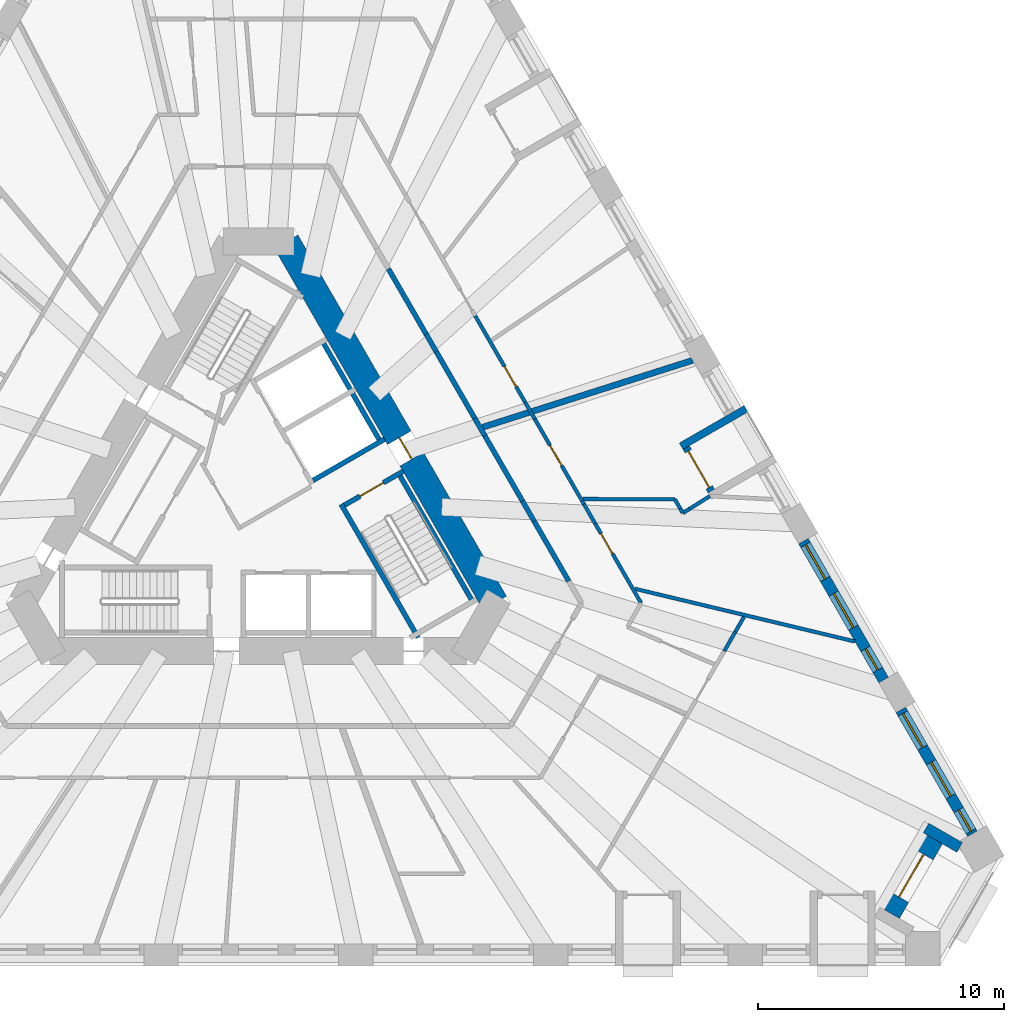
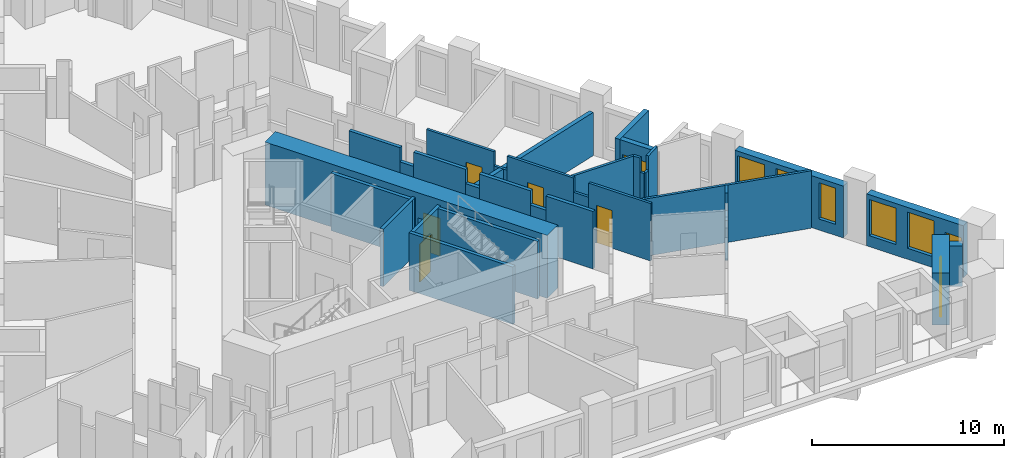
# One storey, part 7 of 14: 33 walls, 7 doors, 6 windows, 13 openings.
"""IFC4 building model written with IfcOpenShell, lengths in metres."""

from ifc_helpers import new_model, si_unit, direction, frame, frame_2d, origin, place, context, subcontext, project, spatial, rectangle, extrude, material, layer, layer_set, type_object, element, fill, save


model = new_model("IFC4")

# Units and contexts
model_context = context("Model", 3, precision=1e-05, world=origin(), true_north=direction((0.0, 1.0)))
body_context = subcontext(model_context, "Body", "Model", "MODEL_VIEW")
ifc_project = project(units=[si_unit("LENGTHUNIT", "METRE"), si_unit("AREAUNIT", "SQUARE_METRE"), si_unit("VOLUMEUNIT", "CUBIC_METRE"), si_unit("PLANEANGLEUNIT", "RADIAN"), si_unit("MASSUNIT", "GRAM", prefix="KILO")], contexts=[model_context])

# Site, building, storey
site_placement = place(None, origin())
site = spatial("IfcSite", under=ifc_project, at=site_placement, CompositionType="ELEMENT")
building_placement = place(site_placement, origin())
building = spatial("IfcBuilding", under=site, at=building_placement, Name="Tramontana Tower", CompositionType="ELEMENT")
storey_placement = place(building_placement, frame((0.0, 0.0, 38.0)))
storey = spatial("IfcBuildingStorey", under=building, at=storey_placement, Name="L07", CompositionType="ELEMENT", Elevation=38.0)

# Wall, opening, door
ifc_material_1 = material(Name="Concrete 70 MPa", Category="concrete")
ifc_layer_1 = layer(ifc_material_1, 1.10009765625)
ifc_layer_set_1 = layer_set([ifc_layer_1], Name="Core wall 1100 70 MPa")
wall_type_1 = type_object("IfcWallType", Name="Core wall 1100 70 MPa", PredefinedType="SHEAR", material=ifc_layer_set_1)
wall_1_placement = place(storey_placement, frame((9.61279296875, -4.25, 0.0), z_axis=(0.0, 0.0, 1.0), x_axis=(-0.500001757713, 0.866024388966, 0.0)))
wall_1 = element("IfcWall", 1, at=wall_1_placement, inside=storey, type_object=wall_type_1, Name="Core wall C5 L07", PredefinedType="SHEAR", context=body_context, shape_type="SweptSolid", body=[
    extrude(rectangle(XDim=16.97412109375, YDim=1.10009765625, at=frame_2d((8.487060546875, 0.0))), origin(), (0.0, 0.0, 1.0), 4.0),
])
opening_1_placement = place(wall_1_placement, frame((6.761962890625, 0.0, 0.0)))
opening_1 = element("IfcOpeningElement", 2, at=opening_1_placement, cuts=wall_1, Name="Opening RG3", PredefinedType="OPENING", context=body_context, shape_type="SweptSolid", body=[
    extrude(rectangle(XDim=1.0, YDim=2.39990234375, at=frame_2d((0.5, 1.199951171875))), frame((0.0, 0.56005859375, 0.0), z_axis=(0.0, -1.0, 0.0), x_axis=(1.0, 0.0, 0.0)), (0.0, 0.0, 1.0), 1.1201171875),
])
ifc_material_2 = material(Name="Painted steel", Category="steel")
door_type_1 = type_object("IfcDoorType", Name="RING DOOR 1000", OperationType="SINGLE_SWING_LEFT", PredefinedType="DOOR", material=ifc_material_2)
door_1_placement = place(opening_1_placement, origin())
door_1 = element("IfcDoor", 3, at=door_1_placement, inside=storey, type_object=door_type_1, Name="Door RG3", OperationType="SINGLE_SWING_RIGHT", OverallHeight=2.39990234375, OverallWidth=1.0, PredefinedType="DOOR", context=body_context, shape_type="SweptSolid", body=[
    extrude(rectangle(XDim=1.0, YDim=2.39990234375, at=frame_2d((0.5, 1.199951171875))), frame((0.0, 0.02490234375, 0.0), z_axis=(0.0, -1.0, 0.0), x_axis=(1.0, 0.0, 0.0)), (0.0, 0.0, 1.0), 0.050048828125),
])
fill(opening_1, door_1)

# Walls
ifc_material_3 = material(Name="Blockwork", Category="masonry")
ifc_layer_2 = layer(ifc_material_3, 0.199951171875)
ifc_layer_set_2 = layer_set([ifc_layer_2], Name="ENTRY WALL 200")
wall_type_2 = type_object("IfcWallType", Name="ENTRY WALL 200", PredefinedType="SOLIDWALL", material=ifc_layer_set_2)
wall_2_placement = place(storey_placement, frame((5.287109375, 9.3427734375, 0.0), z_axis=(0.0, 0.0, 1.0), x_axis=(0.499952348839, -0.866052913447, 0.0)))
element("IfcWall", 4, at=wall_2_placement, inside=storey, type_object=wall_type_2, Name="Wall v02-ew0-3", PredefinedType="SOLIDWALL", context=body_context, shape_type="SweptSolid", body=[
    extrude(rectangle(XDim=3.064208984375, YDim=0.199951171875, at=frame_2d((1.5322265625, 0.0))), origin(), (0.0, 0.0, 1.0), 3.64990234375),
])
wall_3_placement = place(storey_placement, frame((6.819091796875, 6.68896484375, 0.0), z_axis=(0.0, 0.0, 1.0), x_axis=(0.500118501653, -0.865956976012, 0.0)))
element("IfcWall", 5, at=wall_3_placement, inside=storey, type_object=wall_type_2, Name="Wall v02-ew0-4", PredefinedType="SOLIDWALL", context=body_context, shape_type="SweptSolid", body=[
    extrude(rectangle(XDim=0.818115234375, YDim=0.199951171875, at=frame_2d((0.4091796875, 0.0))), origin(), (0.0, 0.0, 1.0), 2.75),
])
wall_4_placement = place(storey_placement, frame((7.228271484375, 5.98046875, 0.0), z_axis=(0.0, 0.0, 1.0), x_axis=(0.499947505232, -0.866055709532, 0.0)))
element("IfcWall", 6, at=wall_4_placement, inside=storey, type_object=wall_type_2, Name="Wall v02-ew0-5", PredefinedType="SOLIDWALL", context=body_context, shape_type="SweptSolid", body=[
    extrude(rectangle(XDim=3.130126953125, YDim=0.199951171875, at=frame_2d((1.56494140625, 0.0))), origin(), (0.0, 0.0, 1.0), 3.64990234375),
])
wall_5_placement = place(storey_placement, frame((8.793212890625, 3.26953125, 0.0), z_axis=(0.0, 0.0, 1.0), x_axis=(0.500118501653, -0.865956976012, 0.0)))
element("IfcWall", 7, at=wall_5_placement, inside=storey, type_object=wall_type_2, Name="Wall v02-ew0-6", PredefinedType="SOLIDWALL", context=body_context, shape_type="SweptSolid", body=[
    extrude(rectangle(XDim=0.818115234375, YDim=0.199951171875, at=frame_2d((0.4091796875, 0.0))), origin(), (0.0, 0.0, 1.0), 2.75),
])
wall_6_placement = place(storey_placement, frame((9.202392578125, 2.56103515625, 0.0), z_axis=(0.0, 0.0, 1.0), x_axis=(0.499952348839, -0.866052913447, 0.0)))
element("IfcWall", 8, at=wall_6_placement, inside=storey, type_object=wall_type_2, Name="Wall v02-ew0-7", PredefinedType="SOLIDWALL", context=body_context, shape_type="SweptSolid", body=[
    extrude(rectangle(XDim=3.064208984375, YDim=0.199951171875, at=frame_2d((1.5322265625, 0.0))), origin(), (0.0, 0.0, 1.0), 3.64990234375),
])
wall_7_placement = place(storey_placement, frame((10.734375, -0.0927734375, 0.0), z_axis=(0.0, 0.0, 1.0), x_axis=(0.500174821557, -0.865924446982, 0.0)))
element("IfcWall", 9, at=wall_7_placement, inside=storey, type_object=wall_type_2, Name="Wall v02-ew0-8", PredefinedType="SOLIDWALL", context=body_context, shape_type="SweptSolid", body=[
    extrude(rectangle(XDim=0.949951171875, YDim=0.199951171875, at=frame_2d((0.47509765625, 0.0))), origin(), (0.0, 0.0, 1.0), 2.75),
])
wall_8_placement = place(storey_placement, frame((11.20947265625, -0.915283203125, 0.0), z_axis=(0.0, 0.0, 1.0), x_axis=(0.49993514545, -0.866062844338, 0.0)))
element("IfcWall", 10, at=wall_8_placement, inside=storey, type_object=wall_type_2, Name="Wall v02-ew0-9", PredefinedType="SOLIDWALL", context=body_context, shape_type="SweptSolid", body=[
    extrude(rectangle(XDim=2.815185546875, YDim=0.199951171875, at=frame_2d((1.40771484375, 0.0))), origin(), (0.0, 0.0, 1.0), 3.64990234375),
])

# Wall, openings, windows
ifc_material_4 = material(Name="Precast concrete 60 MPa", Category="concrete")
ifc_layer_3 = layer(ifc_material_4, 0.449951171875)
ifc_layer_set_3 = layer_set([ifc_layer_3], Name="Precast concrete 60 MPa, 450 mm")
wall_type_3 = type_object("IfcWallType", Name="EW1 Stone-faced precast wall 450", PredefinedType="SOLIDWALL", material=ifc_layer_set_3)
wall_9_placement = place(storey_placement, frame((29.0263671875, -13.625, 0.0), z_axis=(0.0, 0.0, 1.0), x_axis=(-0.500007002644, 0.866021360769, 0.0)))
wall_9 = element("IfcWall", 11, at=wall_9_placement, inside=storey, type_object=wall_type_3, Name="External wall L07 face 2 bay 1", PredefinedType="SOLIDWALL", context=body_context, shape_type="SweptSolid", body=[
    extrude(rectangle(XDim=5.81787109375, YDim=0.449951171875, at=frame_2d((2.908935546875, 0.0))), origin(), (0.0, 0.0, 1.0), 3.300048828125),
])
opening_2_placement = place(wall_9_placement, frame((0.11962890625, 0.0, 0.699951171875)))
opening_2 = element("IfcOpeningElement", 12, at=opening_2_placement, cuts=wall_9, Name="Opening N1L", PredefinedType="OPENING", context=body_context, shape_type="SweptSolid", body=[
    extrude(rectangle(XDim=1.0, YDim=1.800048828125, at=frame_2d((0.5, 0.89990234375))), frame((0.0, 0.23486328125, 0.0), z_axis=(0.0, -1.0, 0.0), x_axis=(1.0, 0.0, 0.0)), (0.0, 0.0, 1.0), 0.469970703125),
])
opening_3_placement = place(wall_9_placement, frame((1.759033203125, 0.0, 0.699951171875)))
opening_3 = element("IfcOpeningElement", 13, at=opening_3_placement, cuts=wall_9, Name="Opening M1", PredefinedType="OPENING", context=body_context, shape_type="SweptSolid", body=[
    extrude(rectangle(XDim=1.60009765625, YDim=2.300048828125, at=frame_2d((0.800048828125, 1.14990234375))), frame((0.0, 0.23486328125, 0.0), z_axis=(0.0, -1.0, 0.0), x_axis=(1.0, 0.0, 0.0)), (0.0, 0.0, 1.0), 0.469970703125),
])
opening_4_placement = place(wall_9_placement, frame((4.04833984375, 0.0, 0.699951171875)))
opening_4 = element("IfcOpeningElement", 14, at=opening_4_placement, cuts=wall_9, Name="Opening M1", PredefinedType="OPENING", context=body_context, shape_type="SweptSolid", body=[
    extrude(rectangle(XDim=1.60009765625, YDim=2.300048828125, at=frame_2d((0.800048828125, 1.14990234375))), frame((0.0, 0.23486328125, 0.0), z_axis=(0.0, -1.0, 0.0), x_axis=(1.0, 0.0, 0.0)), (0.0, 0.0, 1.0), 0.469970703125),
])
ifc_material_5 = material(Name="Aluminum frame, double glazing unit", Category="aluminium")
window_type_1 = type_object("IfcWindowType", Name="M1 Window 1.6 x 2.3", PartitioningType="SINGLE_PANEL", PredefinedType="WINDOW", material=ifc_material_5)
window_1_placement = place(opening_3_placement, origin())
window_1 = element("IfcWindow", 15, at=window_1_placement, inside=storey, type_object=window_type_1, Name="Window M1 L07 face 2 module 2", OverallHeight=2.300048828125, OverallWidth=1.60009765625, PartitioningType="SINGLE_PANEL", PredefinedType="WINDOW", context=body_context, shape_type="SweptSolid", body=[
    extrude(rectangle(XDim=1.60009765625, YDim=2.300048828125, at=frame_2d((0.800048828125, 1.14990234375))), frame((0.0, 0.030029296875, 0.0), z_axis=(0.0, -1.0, 0.0), x_axis=(1.0, 0.0, 0.0)), (0.0, 0.0, 1.0), 0.06005859375),
])
fill(opening_3, window_1)
window_2_placement = place(opening_4_placement, origin())
window_2 = element("IfcWindow", 16, at=window_2_placement, inside=storey, type_object=window_type_1, Name="Window M1 L07 face 2 module 3", OverallHeight=2.300048828125, OverallWidth=1.60009765625, PartitioningType="SINGLE_PANEL", PredefinedType="WINDOW", context=body_context, shape_type="SweptSolid", body=[
    extrude(rectangle(XDim=1.60009765625, YDim=2.300048828125, at=frame_2d((0.800048828125, 1.14990234375))), frame((0.0, 0.030029296875, 0.0), z_axis=(0.0, -1.0, 0.0), x_axis=(1.0, 0.0, 0.0)), (0.0, 0.0, 1.0), 0.06005859375),
])
fill(opening_4, window_2)
ifc_material_6 = material(Name="Aluminum frame, double glazing unit", Category="aluminium")
window_type_2 = type_object("IfcWindowType", Name="N1L Window 1 x 1.8", PartitioningType="SINGLE_PANEL", PredefinedType="WINDOW", material=ifc_material_6)
window_3_placement = place(opening_2_placement, origin())
window_3 = element("IfcWindow", 17, at=window_3_placement, inside=storey, type_object=window_type_2, Name="Window N1L L07 face 2 module 1", OverallHeight=1.800048828125, OverallWidth=1.0, PartitioningType="SINGLE_PANEL", PredefinedType="WINDOW", context=body_context, shape_type="SweptSolid", body=[
    extrude(rectangle(XDim=1.0, YDim=1.800048828125, at=frame_2d((0.5, 0.89990234375))), frame((0.0, 0.030029296875, 0.0), z_axis=(0.0, -1.0, 0.0), x_axis=(1.0, 0.0, 0.0)), (0.0, 0.0, 1.0), 0.06005859375),
])
fill(opening_2, window_3)

wall_10_placement = place(storey_placement, frame((25.417236328125, -7.3740234375, 0.0), z_axis=(0.0, 0.0, 1.0), x_axis=(-0.499990498062, 0.866030889661, 0.0)))
wall_10 = element("IfcWall", 18, at=wall_10_placement, inside=storey, type_object=wall_type_3, Name="External wall L07 face 2 bay 2", PredefinedType="SOLIDWALL", context=body_context, shape_type="SweptSolid", body=[
    extrude(rectangle(XDim=6.517822265625, YDim=0.449951171875, at=frame_2d((3.2587890625, 0.0))), origin(), (0.0, 0.0, 1.0), 3.300048828125),
])
opening_5_placement = place(wall_10_placement, frame((0.4697265625, 0.0, 0.699951171875)))
opening_5 = element("IfcOpeningElement", 19, at=opening_5_placement, cuts=wall_10, Name="Opening N1", PredefinedType="OPENING", context=body_context, shape_type="SweptSolid", body=[
    extrude(rectangle(XDim=1.0, YDim=2.300048828125, at=frame_2d((0.5, 1.14990234375))), frame((0.0, 0.23486328125, 0.0), z_axis=(0.0, -1.0, 0.0), x_axis=(1.0, 0.0, 0.0)), (0.0, 0.0, 1.0), 0.469970703125),
])
opening_6_placement = place(wall_10_placement, frame((2.458984375, 0.0, 0.699951171875)))
opening_6 = element("IfcOpeningElement", 20, at=opening_6_placement, cuts=wall_10, Name="Opening M1", PredefinedType="OPENING", context=body_context, shape_type="SweptSolid", body=[
    extrude(rectangle(XDim=1.60009765625, YDim=2.300048828125, at=frame_2d((0.800048828125, 1.14990234375))), frame((0.0, 0.23486328125, 0.0), z_axis=(0.0, -1.0, 0.0), x_axis=(1.0, 0.0, 0.0)), (0.0, 0.0, 1.0), 0.469970703125),
])
opening_7_placement = place(wall_10_placement, frame((4.748291015625, 0.0, 0.699951171875)))
opening_7 = element("IfcOpeningElement", 21, at=opening_7_placement, cuts=wall_10, Name="Opening M1", PredefinedType="OPENING", context=body_context, shape_type="SweptSolid", body=[
    extrude(rectangle(XDim=1.60009765625, YDim=2.300048828125, at=frame_2d((0.800048828125, 1.14990234375))), frame((0.0, 0.23486328125, 0.0), z_axis=(0.0, -1.0, 0.0), x_axis=(1.0, 0.0, 0.0)), (0.0, 0.0, 1.0), 0.469970703125),
])
window_4_placement = place(opening_6_placement, origin())
window_4 = element("IfcWindow", 22, at=window_4_placement, inside=storey, type_object=window_type_1, Name="Window M1 L07 face 2 module 5", OverallHeight=2.300048828125, OverallWidth=1.60009765625, PartitioningType="SINGLE_PANEL", PredefinedType="WINDOW", context=body_context, shape_type="SweptSolid", body=[
    extrude(rectangle(XDim=1.60009765625, YDim=2.300048828125, at=frame_2d((0.800048828125, 1.14990234375))), frame((0.0, 0.030029296875, 0.0), z_axis=(0.0, -1.0, 0.0), x_axis=(1.0, 0.0, 0.0)), (0.0, 0.0, 1.0), 0.06005859375),
])
fill(opening_6, window_4)
window_5_placement = place(opening_7_placement, origin())
window_5 = element("IfcWindow", 23, at=window_5_placement, inside=storey, type_object=window_type_1, Name="Window M1 L07 face 2 module 6", OverallHeight=2.300048828125, OverallWidth=1.60009765625, PartitioningType="SINGLE_PANEL", PredefinedType="WINDOW", context=body_context, shape_type="SweptSolid", body=[
    extrude(rectangle(XDim=1.60009765625, YDim=2.300048828125, at=frame_2d((0.800048828125, 1.14990234375))), frame((0.0, 0.030029296875, 0.0), z_axis=(0.0, -1.0, 0.0), x_axis=(1.0, 0.0, 0.0)), (0.0, 0.0, 1.0), 0.06005859375),
])
fill(opening_7, window_5)
ifc_material_7 = material(Name="Aluminum frame, double glazing unit", Category="aluminium")
window_type_3 = type_object("IfcWindowType", Name="N1 Window 1 x 2.3", PartitioningType="SINGLE_PANEL", PredefinedType="WINDOW", material=ifc_material_7)
window_6_placement = place(opening_5_placement, origin())
window_6 = element("IfcWindow", 24, at=window_6_placement, inside=storey, type_object=window_type_3, Name="Window N1 L07 face 2 module 4", OverallHeight=2.300048828125, OverallWidth=1.0, PartitioningType="SINGLE_PANEL", PredefinedType="WINDOW", context=body_context, shape_type="SweptSolid", body=[
    extrude(rectangle(XDim=1.0, YDim=2.300048828125, at=frame_2d((0.5, 1.14990234375))), frame((0.0, 0.030029296875, 0.0), z_axis=(0.0, -1.0, 0.0), x_axis=(1.0, 0.0, 0.0)), (0.0, 0.0, 1.0), 0.06005859375),
])
fill(opening_5, window_6)

# Wall
wall_11_placement = place(storey_placement, frame((28.509033203125, -14.17919921875, 0.0), z_axis=(0.0, 0.0, 1.0), x_axis=(-0.866046570609, 0.499963336192, 0.0)))
element("IfcWall", 25, at=wall_11_placement, inside=storey, type_object=wall_type_3, Name="Corner loggia side wall L07 K02l", PredefinedType="SOLIDWALL", context=body_context, shape_type="SweptSolid", body=[
    extrude(rectangle(XDim=1.5791015625, YDim=0.449951171875, at=frame_2d((0.78955078125, 0.0))), origin(), (0.0, 0.0, 1.0), 2.550048828125),
])

# Wall, opening, door
ifc_material_8 = material(Name="Precast concrete 60 MPa", Category="concrete")
ifc_layer_4 = layer(ifc_material_8, 0.89990234375)
ifc_layer_set_4 = layer_set([ifc_layer_4], Name="EW2 Stone-faced corner loggia wall 900")
wall_type_4 = type_object("IfcWallType", Name="EW2 Stone-faced corner loggia wall 900", PredefinedType="SOLIDWALL", material=ifc_layer_set_4)
wall_12_placement = place(storey_placement, frame((27.418701171875, -13.8095703125, 0.0), z_axis=(0.0, 0.0, 1.0), x_axis=(-0.500010275428, -0.866019471182, 0.0)))
wall_12 = element("IfcWall", 26, at=wall_12_placement, inside=storey, type_object=wall_type_4, Name="Corner loggia wall L07 K02", PredefinedType="SOLIDWALL", context=body_context, shape_type="SweptSolid", body=[
    extrude(rectangle(XDim=3.5, YDim=0.89990234375, at=frame_2d((1.75, 0.0))), origin(), (0.0, 0.0, 1.0), 3.300048828125),
])
opening_8_placement = place(wall_12_placement, frame((0.75, 0.0, 0.0)))
opening_8 = element("IfcOpeningElement", 27, at=opening_8_placement, cuts=wall_12, Name="Opening BD-02C", PredefinedType="OPENING", context=body_context, shape_type="SweptSolid", body=[
    extrude(rectangle(XDim=2.0, YDim=2.39990234375, at=frame_2d((1.0, 1.199951171875))), frame((0.0, 0.4599609375, 0.0), z_axis=(0.0, -1.0, 0.0), x_axis=(1.0, 0.0, 0.0)), (0.0, 0.0, 1.0), 0.919921875),
])
ifc_material_9 = material(Name="Aluminum frame, double glazing unit", Category="aluminium")
door_type_2 = type_object("IfcDoorType", Name="BC1 Sliding door 2 x 2.4", OperationType="SLIDING_TO_LEFT", PredefinedType="DOOR", material=ifc_material_9)
door_2_placement = place(opening_8_placement, origin())
door_2 = element("IfcDoor", 28, at=door_2_placement, inside=storey, type_object=door_type_2, Name="Corner loggia door L07 K02", OperationType="SLIDING_TO_LEFT", OverallHeight=2.39990234375, OverallWidth=2.0, PredefinedType="DOOR", context=body_context, shape_type="SweptSolid", body=[
    extrude(rectangle(XDim=2.0, YDim=2.39990234375, at=frame_2d((1.0, 1.199951171875))), frame((0.0, 0.02490234375, 0.0), z_axis=(0.0, -1.0, 0.0), x_axis=(1.0, 0.0, 0.0)), (0.0, 0.0, 1.0), 0.050048828125),
])
fill(opening_8, door_2)

ifc_material_10 = material(Name="Precast concrete 60 MPa", Category="concrete")
ifc_layer_5 = layer(ifc_material_10, 0.300048828125)
ifc_layer_set_5 = layer_set([ifc_layer_5], Name="LW1 Stone-faced loggia wall 300")
wall_type_5 = type_object("IfcWallType", Name="LW1 Stone-faced loggia wall 300", PredefinedType="SOLIDWALL", material=ifc_layer_set_5)
wall_13_placement = place(storey_placement, frame((18.411865234375, 0.309814453125, 0.0), z_axis=(0.0, 0.0, 1.0), x_axis=(-0.500040236659, 0.866002171892, 0.0)))
wall_13 = element("IfcWall", 29, at=wall_13_placement, inside=storey, type_object=wall_type_5, Name="Loggia wall L07 G0S2.7", PredefinedType="SOLIDWALL", context=body_context, shape_type="SweptSolid", body=[
    extrude(rectangle(XDim=2.039306640625, YDim=0.300048828125, at=frame_2d((1.01953125, 0.0))), origin(), (0.0, 0.0, 1.0), 3.300048828125),
])
opening_9_placement = place(wall_13_placement, frame((0.169677734375, 0.0, 0.0)))
opening_9 = element("IfcOpeningElement", 30, at=opening_9_placement, cuts=wall_13, Name="Opening BD-0S2-07", PredefinedType="OPENING", context=body_context, shape_type="SweptSolid", body=[
    extrude(rectangle(XDim=1.699951171875, YDim=2.39990234375, at=frame_2d((0.85009765625, 1.199951171875))), frame((0.0, 0.159912109375, 0.0), z_axis=(0.0, -1.0, 0.0), x_axis=(1.0, 0.0, 0.0)), (0.0, 0.0, 1.0), 0.320068359375),
])
ifc_material_11 = material(Name="Aluminum frame, double glazing unit", Category="aluminium")
door_type_3 = type_object("IfcDoorType", Name="BD1 Sliding door 1.7 x 2.4", OperationType="SLIDING_TO_LEFT", PredefinedType="DOOR", material=ifc_material_11)
door_3_placement = place(opening_9_placement, origin())
door_3 = element("IfcDoor", 31, at=door_3_placement, inside=storey, type_object=door_type_3, Name="Loggia door L07 G0S2.7", OperationType="SLIDING_TO_LEFT", OverallHeight=2.39990234375, OverallWidth=1.699951171875, PredefinedType="DOOR", context=body_context, shape_type="SweptSolid", body=[
    extrude(rectangle(XDim=1.699951171875, YDim=2.39990234375, at=frame_2d((0.85009765625, 1.199951171875))), frame((0.0, 0.02490234375, 0.0), z_axis=(0.0, -1.0, 0.0), x_axis=(1.0, 0.0, 0.0)), (0.0, 0.0, 1.0), 0.050048828125),
])
fill(opening_9, door_3)

# Wall
wall_14_placement = place(storey_placement, frame((19.82861328125, 3.65576171875, 0.0), z_axis=(0.0, 0.0, 1.0), x_axis=(-0.866037623948, -0.499978833458, 0.0)))
element("IfcWall", 32, at=wall_14_placement, inside=storey, type_object=wall_type_5, Name="Loggia return L07 G0S2.7b", PredefinedType="SOLIDWALL", context=body_context, shape_type="SweptSolid", body=[
    extrude(rectangle(XDim=3.050048828125, YDim=0.300048828125, at=frame_2d((1.52490234375, 0.0))), origin(), (0.0, 0.0, 1.0), 3.300048828125),
])

# Wall, opening, door
ifc_material_12 = material(Name="Gypsum board partition")
ifc_layer_6 = layer(ifc_material_12, 0.14990234375)
ifc_layer_set_6 = layer_set([ifc_layer_6], Name="PARTITION 150")
wall_type_6 = type_object("IfcWallType", Name="PARTITION 150", PredefinedType="PARTITIONING", material=ifc_layer_set_6)
wall_15_placement = place(storey_placement, frame((8.81640625, 7.4296875, 0.0), z_axis=(0.0, 0.0, 1.0), x_axis=(0.500007556608, -0.866021040931, 0.0)))
wall_15 = element("IfcWall", 33, at=wall_15_placement, inside=storey, type_object=wall_type_6, Name="Wall v02-pw31-4", PredefinedType="PARTITIONING", context=body_context, shape_type="SweptSolid", body=[
    extrude(rectangle(XDim=4.05224609375, YDim=0.14990234375, at=frame_2d((2.026123046875, 0.0))), origin(), (0.0, 0.0, 1.0), 3.64990234375),
])
opening_10_placement = place(wall_15_placement, frame((2.377197265625, 0.0, 0.0)))
opening_10 = element("IfcOpeningElement", 34, at=opening_10_placement, cuts=wall_15, Name="Opening B0C-06", PredefinedType="OPENING", context=body_context, shape_type="SweptSolid", body=[
    extrude(rectangle(XDim=0.949951171875, YDim=2.39990234375, at=frame_2d((0.47509765625, 1.199951171875))), frame((0.0, 0.0849609375, 0.0), z_axis=(0.0, -1.0, 0.0), x_axis=(1.0, 0.0, 0.0)), (0.0, 0.0, 1.0), 0.169921875),
])
ifc_material_13 = material(Name="Painted timber", Category="wood")
door_type_4 = type_object("IfcDoorType", Name="DOOR ROOM 950", OperationType="SINGLE_SWING_LEFT", PredefinedType="DOOR", material=ifc_material_13)
door_4_placement = place(opening_10_placement, origin())
door_4 = element("IfcDoor", 35, at=door_4_placement, inside=storey, type_object=door_type_4, Name="Door B0C-06", OperationType="SINGLE_SWING_RIGHT", OverallHeight=2.39990234375, OverallWidth=0.949951171875, PredefinedType="DOOR", context=body_context, shape_type="SweptSolid", body=[
    extrude(rectangle(XDim=0.949951171875, YDim=2.39990234375, at=frame_2d((0.47509765625, 1.199951171875))), frame((0.0, 0.02490234375, 0.0), z_axis=(0.0, -1.0, 0.0), x_axis=(1.0, 0.0, 0.0)), (0.0, 0.0, 1.0), 0.050048828125),
])
fill(opening_10, door_4)

# Wall
wall_16_placement = place(storey_placement, frame((10.842529296875, 3.92041015625, 0.0), z_axis=(0.0, 0.0, 1.0), x_axis=(0.500015802937, -0.866016279763, 0.0)))
element("IfcWall", 36, at=wall_16_placement, inside=storey, type_object=wall_type_6, Name="Wall v02-pw31-5", PredefinedType="PARTITIONING", context=body_context, shape_type="SweptSolid", body=[
    extrude(rectangle(XDim=0.79248046875, YDim=0.14990234375, at=frame_2d((0.396240234375, 0.0))), origin(), (0.0, 0.0, 1.0), 2.75),
])

# Wall, opening, door
wall_17_placement = place(storey_placement, frame((11.23876953125, 3.234130859375, 0.0), z_axis=(0.0, 0.0, 1.0), x_axis=(0.499983857782, -0.866034723298, 0.0)))
wall_17 = element("IfcWall", 37, at=wall_17_placement, inside=storey, type_object=wall_type_6, Name="Wall v02-pw31-6", PredefinedType="PARTITIONING", context=body_context, shape_type="SweptSolid", body=[
    extrude(rectangle(XDim=3.988525390625, YDim=0.14990234375, at=frame_2d((1.994140625, 0.0))), origin(), (0.0, 0.0, 1.0), 3.64990234375),
])
opening_11_placement = place(wall_17_placement, frame((1.23583984375, 0.0, 0.0)))
opening_11 = element("IfcOpeningElement", 38, at=opening_11_placement, cuts=wall_17, Name="Opening B0C-25", PredefinedType="OPENING", context=body_context, shape_type="SweptSolid", body=[
    extrude(rectangle(XDim=0.949951171875, YDim=2.39990234375, at=frame_2d((0.47509765625, 1.199951171875))), frame((0.0, 0.0849609375, 0.0), z_axis=(0.0, -1.0, 0.0), x_axis=(1.0, 0.0, 0.0)), (0.0, 0.0, 1.0), 0.169921875),
])
door_5_placement = place(opening_11_placement, origin())
door_5 = element("IfcDoor", 39, at=door_5_placement, inside=storey, type_object=door_type_4, Name="Door B0C-25", OperationType="SINGLE_SWING_LEFT", OverallHeight=2.39990234375, OverallWidth=0.949951171875, PredefinedType="DOOR", context=body_context, shape_type="SweptSolid", body=[
    extrude(rectangle(XDim=0.949951171875, YDim=2.39990234375, at=frame_2d((0.47509765625, 1.199951171875))), frame((0.0, 0.02490234375, 0.0), z_axis=(0.0, -1.0, 0.0), x_axis=(1.0, 0.0, 0.0)), (0.0, 0.0, 1.0), 0.050048828125),
])
fill(opening_11, door_5)

# Wall
wall_18_placement = place(storey_placement, frame((13.23291015625, -0.219970703125, 0.0), z_axis=(0.0, 0.0, 1.0), x_axis=(0.499906209203, -0.866079547155, 0.0)))
element("IfcWall", 40, at=wall_18_placement, inside=storey, type_object=wall_type_6, Name="Wall v02-pw31-7", PredefinedType="PARTITIONING", context=body_context, shape_type="SweptSolid", body=[
    extrude(rectangle(XDim=0.920166015625, YDim=0.14990234375, at=frame_2d((0.4599609375, 0.0))), origin(), (0.0, 0.0, 1.0), 2.75),
])

# Wall, opening, door
wall_19_placement = place(storey_placement, frame((13.69287109375, -1.016845703125, 0.0), z_axis=(0.0, 0.0, 1.0), x_axis=(0.500007375767, -0.866021145342, 0.0)))
wall_19 = element("IfcWall", 41, at=wall_19_placement, inside=storey, type_object=wall_type_6, Name="Wall v02-pw31-8", PredefinedType="PARTITIONING", context=body_context, shape_type="SweptSolid", body=[
    extrude(rectangle(XDim=3.7333984375, YDim=0.14990234375, at=frame_2d((1.86669921875, 0.0))), origin(), (0.0, 0.0, 1.0), 3.64990234375),
])
opening_12_placement = place(wall_19_placement, frame((0.464111328125, 0.0, 0.0)))
opening_12 = element("IfcOpeningElement", 42, at=opening_12_placement, cuts=wall_19, Name="Opening B0C-24", PredefinedType="OPENING", context=body_context, shape_type="SweptSolid", body=[
    extrude(rectangle(XDim=0.949951171875, YDim=2.39990234375, at=frame_2d((0.47509765625, 1.199951171875))), frame((0.0, 0.0849609375, 0.0), z_axis=(0.0, -1.0, 0.0), x_axis=(1.0, 0.0, 0.0)), (0.0, 0.0, 1.0), 0.169921875),
])
door_6_placement = place(opening_12_placement, origin())
door_6 = element("IfcDoor", 43, at=door_6_placement, inside=storey, type_object=door_type_4, Name="Door B0C-24", OperationType="SINGLE_SWING_RIGHT", OverallHeight=2.39990234375, OverallWidth=0.949951171875, PredefinedType="DOOR", context=body_context, shape_type="SweptSolid", body=[
    extrude(rectangle(XDim=0.949951171875, YDim=2.39990234375, at=frame_2d((0.47509765625, 1.199951171875))), frame((0.0, 0.02490234375, 0.0), z_axis=(0.0, -1.0, 0.0), x_axis=(1.0, 0.0, 0.0)), (0.0, 0.0, 1.0), 0.050048828125),
])
fill(opening_12, door_6)

# Walls
wall_20_placement = place(storey_placement, frame((13.202880859375, -0.017822265625, 0.0), z_axis=(0.0, 0.0, 1.0), x_axis=(0.999999053608, -0.001375784861, 0.0)))
element("IfcWall", 44, at=wall_20_placement, inside=storey, type_object=wall_type_6, Name="Wall v02-pw38", PredefinedType="PARTITIONING", context=body_context, shape_type="SweptSolid", body=[
    extrude(rectangle(XDim=3.7265625, YDim=0.14990234375, at=frame_2d((1.86328125, 0.0))), origin(), (0.0, 0.0, 1.0), 3.64990234375),
])
wall_21_placement = place(storey_placement, frame((15.308837890625, -3.66552734375, 0.0), z_axis=(0.0, 0.0, 1.0), x_axis=(0.97251005754, -0.232860876887, 0.0)))
element("IfcWall", 45, at=wall_21_placement, inside=storey, type_object=wall_type_6, Name="Wall v02-pw43", PredefinedType="PARTITIONING", context=body_context, shape_type="SweptSolid", body=[
    extrude(rectangle(XDim=9.197021484375, YDim=0.14990234375, at=frame_2d((4.5986328125, 0.0))), origin(), (0.0, 0.0, 1.0), 3.64990234375),
])
wall_22_placement = place(storey_placement, frame((16.929443359375, -0.02294921875, 0.0), z_axis=(0.0, 0.0, 1.0), x_axis=(0.500062521093, -0.865989304205, 0.0)))
element("IfcWall", 46, at=wall_22_placement, inside=storey, type_object=wall_type_6, Name="Wall v02-pw45-0", PredefinedType="PARTITIONING", context=body_context, shape_type="SweptSolid", body=[
    extrude(rectangle(XDim=0.43505859375, YDim=0.14990234375, at=frame_2d((0.217529296875, 0.0))), origin(), (0.0, 0.0, 1.0), 3.64990234375),
])
wall_23_placement = place(storey_placement, frame((17.14697265625, -0.399658203125, 0.0), z_axis=(0.0, 0.0, 1.0), x_axis=(0.499298623879, -0.866429964967, 0.0)))
element("IfcWall", 47, at=wall_23_placement, inside=storey, type_object=wall_type_6, Name="Wall v02-pw45-1", PredefinedType="PARTITIONING", context=body_context, shape_type="SweptSolid", body=[
    extrude(rectangle(XDim=0.216064453125, YDim=0.14990234375, at=frame_2d((0.10791015625, 0.0))), origin(), (0.0, 0.0, 1.0), 2.75),
])
wall_24_placement = place(storey_placement, frame((17.2578125, -0.587646484375, 0.0), z_axis=(0.0, 0.0, 1.0), x_axis=(0.846105293653, 0.533015789684, 0.0)))
element("IfcWall", 48, at=wall_24_placement, inside=storey, type_object=wall_type_6, Name="Wall v02-pw46-0", PredefinedType="PARTITIONING", context=body_context, shape_type="SweptSolid", body=[
    extrude(rectangle(XDim=0.31982421875, YDim=0.14990234375, at=frame_2d((0.159912109375, 0.0))), origin(), (0.0, 0.0, 1.0), 2.75),
])
wall_25_placement = place(storey_placement, frame((17.5283203125, -0.417236328125, 0.0), z_axis=(0.0, 0.0, 1.0), x_axis=(0.846003820578, 0.533176833299, 0.0)))
element("IfcWall", 49, at=wall_25_placement, inside=storey, type_object=wall_type_6, Name="Wall v02-pw46-1", PredefinedType="PARTITIONING", context=body_context, shape_type="SweptSolid", body=[
    extrude(rectangle(XDim=0.9794921875, YDim=0.14990234375, at=frame_2d((0.48974609375, 0.0))), origin(), (0.0, 0.0, 1.0), 3.64990234375),
])
wall_26_placement = place(storey_placement, frame((19.742919921875, -4.804443359375, 0.0), z_axis=(0.0, 0.0, 1.0), x_axis=(-0.500248917644, -0.865881643411, 0.0)))
element("IfcWall", 50, at=wall_26_placement, inside=storey, type_object=wall_type_6, Name="Wall v02-pw50-0", PredefinedType="PARTITIONING", context=body_context, shape_type="SweptSolid", body=[
    extrude(rectangle(XDim=0.709228515625, YDim=0.14990234375, at=frame_2d((0.3544921875, 0.0))), origin(), (0.0, 0.0, 1.0), 3.64990234375),
])
wall_27_placement = place(storey_placement, frame((19.38818359375, -5.41845703125, 0.0), z_axis=(0.0, 0.0, 1.0), x_axis=(-0.499996880198, -0.866027204995, 0.0)))
element("IfcWall", 51, at=wall_27_placement, inside=storey, type_object=wall_type_6, Name="Wall v02-pw50-1", PredefinedType="PARTITIONING", context=body_context, shape_type="SweptSolid", body=[
    extrude(rectangle(XDim=0.8984375, YDim=0.14990234375, at=frame_2d((0.44921875, 0.0))), origin(), (0.0, 0.0, 1.0), 2.550048828125),
])
ifc_material_14 = material(Name="Blockwork", Category="masonry")
ifc_layer_7 = layer(ifc_material_14, 0.25)
ifc_layer_set_7 = layer_set([ifc_layer_7], Name="PARTY WALL 250")
wall_type_7 = type_object("IfcWallType", Name="PARTY WALL 250", PredefinedType="SOLIDWALL", material=ifc_layer_set_7)
wall_28_placement = place(storey_placement, frame((17.654541015625, 5.621337890625, 0.0), z_axis=(0.0, 0.0, 1.0), x_axis=(-0.952862755564, -0.303401662915, 0.0)))
element("IfcWall", 52, at=wall_28_placement, inside=storey, type_object=wall_type_7, Name="Wall v02-pw48-0", PredefinedType="SOLIDWALL", context=body_context, shape_type="SweptSolid", body=[
    extrude(rectangle(XDim=8.956787109375, YDim=0.25, at=frame_2d((4.478515625, 0.0))), origin(), (0.0, 0.0, 1.0), 2.75),
])
ifc_material_15 = material(Name="Concrete 70 MPa", Category="concrete")
ifc_layer_8 = layer(ifc_material_15, 0.199951171875)
ifc_layer_set_8 = layer_set([ifc_layer_8], Name="Concrete 70 MPa, 200 mm")
wall_type_8 = type_object("IfcWallType", Name="RC SHAFT BACK WALL 200", PredefinedType="SOLIDWALL", material=ifc_layer_set_8)
wall_29_placement = place(storey_placement, frame((8.759765625, -4.2724609375, 0.0), z_axis=(0.0, 0.0, 1.0), x_axis=(-0.49998037582, 0.866036733513, 0.0)))
element("IfcWall", 53, at=wall_29_placement, inside=storey, type_object=wall_type_8, Name="Wall st3-back", PredefinedType="SOLIDWALL", context=body_context, shape_type="SweptSolid", body=[
    extrude(rectangle(XDim=6.199951171875, YDim=0.199951171875, at=frame_2d((3.10009765625, 0.0))), origin(), (0.0, 0.0, 1.0), 3.64990234375),
])
wall_30_placement = place(storey_placement, frame((5.0048828125, 2.2314453125, 0.0), z_axis=(0.0, 0.0, 1.0), x_axis=(-0.500002801628, 0.866023786258, 0.0)))
element("IfcWall", 54, at=wall_30_placement, inside=storey, type_object=wall_type_8, Name="Wall row2-back", PredefinedType="SOLIDWALL", context=body_context, shape_type="SweptSolid", body=[
    extrude(rectangle(XDim=4.89990234375, YDim=0.199951171875, at=frame_2d((2.449951171875, 0.0))), origin(), (0.0, 0.0, 1.0), 3.64990234375),
])
ifc_material_16 = material(Name="Concrete 70 MPa", Category="concrete")
ifc_layer_9 = layer(ifc_material_16, 0.199951171875)
ifc_layer_set_9 = layer_set([ifc_layer_9], Name="Concrete 70 MPa, 200 mm")
wall_type_9 = type_object("IfcWallType", Name="RC STAIR AND SHAFT WALL 200", PredefinedType="SOLIDWALL", material=ifc_layer_set_9)
wall_31_placement = place(storey_placement, frame((6.4951171875, -5.64990234375, 0.0), z_axis=(0.0, 0.0, 1.0), x_axis=(-0.499976754523, 0.866038824151, 0.0)))
element("IfcWall", 55, at=wall_31_placement, inside=storey, type_object=wall_type_9, Name="Wall st3-front", PredefinedType="SOLIDWALL", context=body_context, shape_type="SweptSolid", body=[
    extrude(rectangle(XDim=6.260498046875, YDim=0.199951171875, at=frame_2d((3.13037109375, 0.0))), origin(), (0.0, 0.0, 1.0), 3.64990234375),
])

# Wall, opening, door
wall_32_placement = place(storey_placement, frame((3.50146484375, -0.2646484375, 0.0), z_axis=(0.0, 0.0, 1.0), x_axis=(0.866027397988, 0.499996545922, 0.0)))
wall_32 = element("IfcWall", 56, at=wall_32_placement, inside=storey, type_object=wall_type_9, Name="Wall st3-near", PredefinedType="SOLIDWALL", context=body_context, shape_type="SweptSolid", body=[
    extrude(rectangle(XDim=2.75, YDim=0.199951171875, at=frame_2d((1.375, 0.0))), origin(), (0.0, 0.0, 1.0), 3.64990234375),
])
opening_13_placement = place(wall_32_placement, frame((0.72509765625, 0.0, 0.0)))
opening_13 = element("IfcOpeningElement", 57, at=opening_13_placement, cuts=wall_32, Name="Opening SD3", PredefinedType="OPENING", context=body_context, shape_type="SweptSolid", body=[
    extrude(rectangle(XDim=1.10009765625, YDim=2.39990234375, at=frame_2d((0.550048828125, 1.199951171875))), frame((0.0, 0.10986328125, 0.0), z_axis=(0.0, -1.0, 0.0), x_axis=(1.0, 0.0, 0.0)), (0.0, 0.0, 1.0), 0.219970703125),
])
ifc_material_17 = material(Name="Painted steel", Category="steel")
door_type_5 = type_object("IfcDoorType", Name="STAIR DOOR 1100", OperationType="SINGLE_SWING_LEFT", PredefinedType="DOOR", material=ifc_material_17)
door_7_placement = place(opening_13_placement, origin())
door_7 = element("IfcDoor", 58, at=door_7_placement, inside=storey, type_object=door_type_5, Name="Door SD3", OperationType="SINGLE_SWING_RIGHT", OverallHeight=2.39990234375, OverallWidth=1.10009765625, PredefinedType="DOOR", context=body_context, shape_type="SweptSolid", body=[
    extrude(rectangle(XDim=1.10009765625, YDim=2.39990234375, at=frame_2d((0.550048828125, 1.199951171875))), frame((0.0, 0.02490234375, 0.0), z_axis=(0.0, -1.0, 0.0), x_axis=(1.0, 0.0, 0.0)), (0.0, 0.0, 1.0), 0.050048828125),
])
fill(opening_13, door_7)

# Wall
wall_33_placement = place(storey_placement, frame((2.226806640625, 0.742919921875, 0.0), z_axis=(0.0, 0.0, 1.0), x_axis=(0.866014461049, 0.500018952895, 0.0)))
element("IfcWall", 59, at=wall_33_placement, inside=storey, type_object=wall_type_9, Name="Wall row2-side0", PredefinedType="SOLIDWALL", context=body_context, shape_type="SweptSolid", body=[
    extrude(rectangle(XDim=3.349853515625, YDim=0.199951171875, at=frame_2d((1.6748046875, 0.0))), origin(), (0.0, 0.0, 1.0), 3.64990234375),
])

save(model, "model.ifc")
